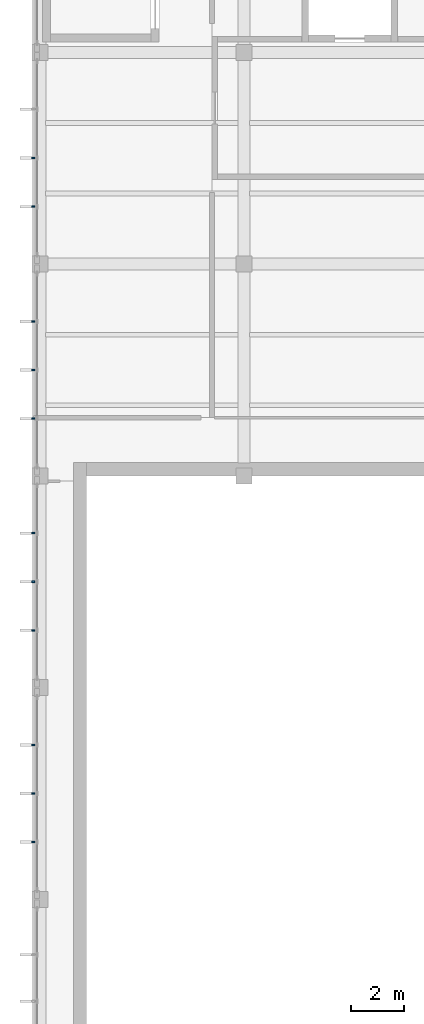
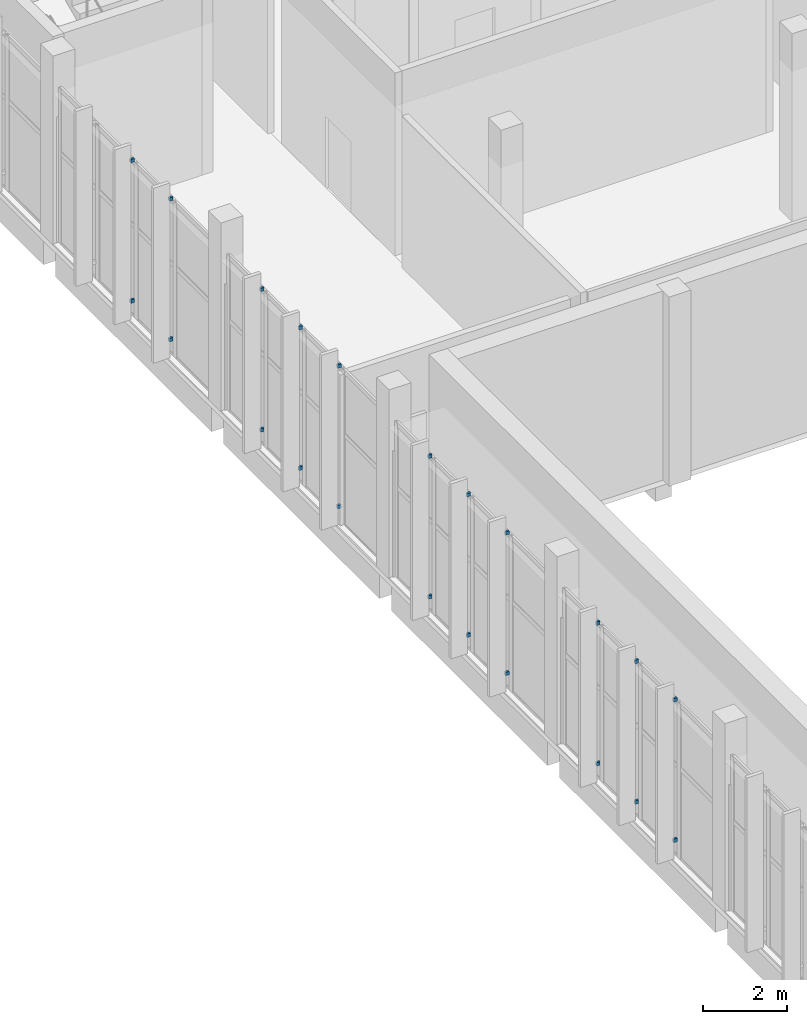
# One storey, part 72 of 112: 22 discrete accessories.
"""IFC4 building model written with IfcOpenShell, lengths in metres."""

from ifc_helpers import new_model, si_unit, direction, frame, origin, origin_2d, place, context, subcontext, project, spatial, rectangle, extrude, material, type_object, element, save


model = new_model("IFC4")

# Units and contexts
model_context = context("Model", 3, precision=1e-05, world=origin(), true_north=direction((0.0, 1.0)))
body_context = subcontext(model_context, "Body", "Model", "MODEL_VIEW")
ifc_project = project(units=[si_unit("LENGTHUNIT", "METRE"), si_unit("AREAUNIT", "SQUARE_METRE"), si_unit("VOLUMEUNIT", "CUBIC_METRE"), si_unit("PLANEANGLEUNIT", "RADIAN"), si_unit("MASSUNIT", "GRAM", prefix="KILO")], contexts=[model_context])

# Site, building, storey
site_placement = place(None, origin())
site = spatial("IfcSite", under=ifc_project, at=site_placement, CompositionType="ELEMENT")
building_placement = place(site_placement, origin())
building = spatial("IfcBuilding", under=site, at=building_placement, Name="Lunette Opera House", CompositionType="ELEMENT")
storey_placement = place(building_placement, frame((0.0, 0.0, 6.0)))
storey = spatial("IfcBuildingStorey", under=building, at=storey_placement, Name="L01", CompositionType="ELEMENT", Elevation=6.0)

# Discrete accessories
ifc_material = material(Name="Galvanised steel", Category="steel")
discrete_accessory_type = type_object("IfcDiscreteAccessoryType", Name="FIN BRACKET STEEL", PredefinedType="BRACKET", material=ifc_material)
for number, where, z_axis, x_axis, name in (
    (1, (8.0419921875, 100.012939453125, 0.56494140625), (0.0, 0.0, 1.0), (-1.0, 0.0, 0.0), "Fin bracket RW-X2016 2 1"),
    (2, (8.0419921875, 100.012939453125, 4.64990234375), (0.0, 0.0, 1.0), (-1.0, 0.0, 0.0), "Fin bracket RW-X2016 2 2"),
    (3, (8.0419921875, 98.1708984375, 0.56494140625), (0.0, 0.0, 1.0), (-1.0, 0.0, 0.0), "Fin bracket RW-X2016 3 1"),
    (4, (8.0419921875, 98.1708984375, 4.64990234375), (0.0, 0.0, 1.0), (-1.0, 0.0, 0.0), "Fin bracket RW-X2016 3 2"),
    (5, (8.0419921875, 93.8349609375, 0.56494140625), (0.0, 0.0, 1.0), (-1.0, 0.0, 0.0), "Fin bracket RW-X2017 1 1"),
    (6, (8.0419921875, 93.8349609375, 4.64990234375), (0.0, 0.0, 1.0), (-1.0, 0.0, 0.0), "Fin bracket RW-X2017 1 2"),
    (7, (8.0419921875, 92.0, 0.56494140625), (0.0, 0.0, 1.0), (-1.0, 0.0, 0.0), "Fin bracket RW-X2017 2 1"),
    (8, (8.0419921875, 92.0, 4.64990234375), (0.0, 0.0, 1.0), (-1.0, 0.0, 0.0), "Fin bracket RW-X2017 2 2"),
    (9, (8.0419921875, 90.1650390625, 0.56494140625), (0.0, 0.0, 1.0), (-1.0, 0.0, 0.0), "Fin bracket RW-X2017 3 1"),
    (10, (8.0419921875, 90.1650390625, 4.64990234375), (0.0, 0.0, 1.0), (-1.0, 0.0, 0.0), "Fin bracket RW-X2017 3 2"),
    (11, (8.0419921875, 85.8349609375, 0.56494140625), (0.0, 0.0, 1.0), (-1.0, 0.0, 0.0), "Fin bracket RW-X2018 1 1"),
    (12, (8.0419921875, 85.8349609375, 4.64990234375), (0.0, 0.0, 1.0), (-1.0, 0.0, 0.0), "Fin bracket RW-X2018 1 2"),
    (13, (8.0419921875, 84.0, 0.56494140625), (0.0, 0.0, 1.0), (-1.0, 0.0, 0.0), "Fin bracket RW-X2018 2 1"),
    (14, (8.0419921875, 84.0, 4.64990234375), (0.0, 0.0, 1.0), (-1.0, 0.0, 0.0), "Fin bracket RW-X2018 2 2"),
    (15, (8.0419921875, 82.1650390625, 0.56494140625), (0.0, 0.0, 1.0), (-1.0, 0.0, 0.0), "Fin bracket RW-X2018 3 1"),
    (16, (8.0419921875, 82.1650390625, 4.64990234375), (0.0, 0.0, 1.0), (-1.0, 0.0, 0.0), "Fin bracket RW-X2018 3 2"),
    (17, (8.0419921875, 77.8349609375, 0.56494140625), (0.0, 0.0, 1.0), (-1.0, 0.0, 0.0), "Fin bracket RW-X2019 1 1"),
    (18, (8.0419921875, 77.8349609375, 4.64990234375), (0.0, 0.0, 1.0), (-1.0, 0.0, 0.0), "Fin bracket RW-X2019 1 2"),
    (19, (8.0419921875, 76.0, 0.56494140625), (0.0, 0.0, 1.0), (-1.0, 0.0, 0.0), "Fin bracket RW-X2019 2 1"),
    (20, (8.0419921875, 76.0, 4.64990234375), (0.0, 0.0, 1.0), (-1.0, 0.0, 0.0), "Fin bracket RW-X2019 2 2"),
    (21, (8.0419921875, 74.1650390625, 0.56494140625), (0.0, 0.0, 1.0), (-1.0, 0.0, 0.0), "Fin bracket RW-X2019 3 1"),
    (22, (8.0419921875, 74.1650390625, 4.64990234375), (0.0, 0.0, 1.0), (-1.0, 0.0, 0.0), "Fin bracket RW-X2019 3 2"),
):
    element("IfcDiscreteAccessory", number, at=place(storey_placement, frame(where, z_axis=z_axis, x_axis=x_axis)), inside=storey, type_object=discrete_accessory_type, Name=name, PredefinedType="BRACKET", context=body_context, shape_type="SweptSolid", body=[
        extrude(rectangle(XDim=0.10009765625, YDim=0.06005859375, at=origin_2d()), origin(), (0.0, 0.0, 1.0), 0.10009765625),
    ])

save(model, "model.ifc")
